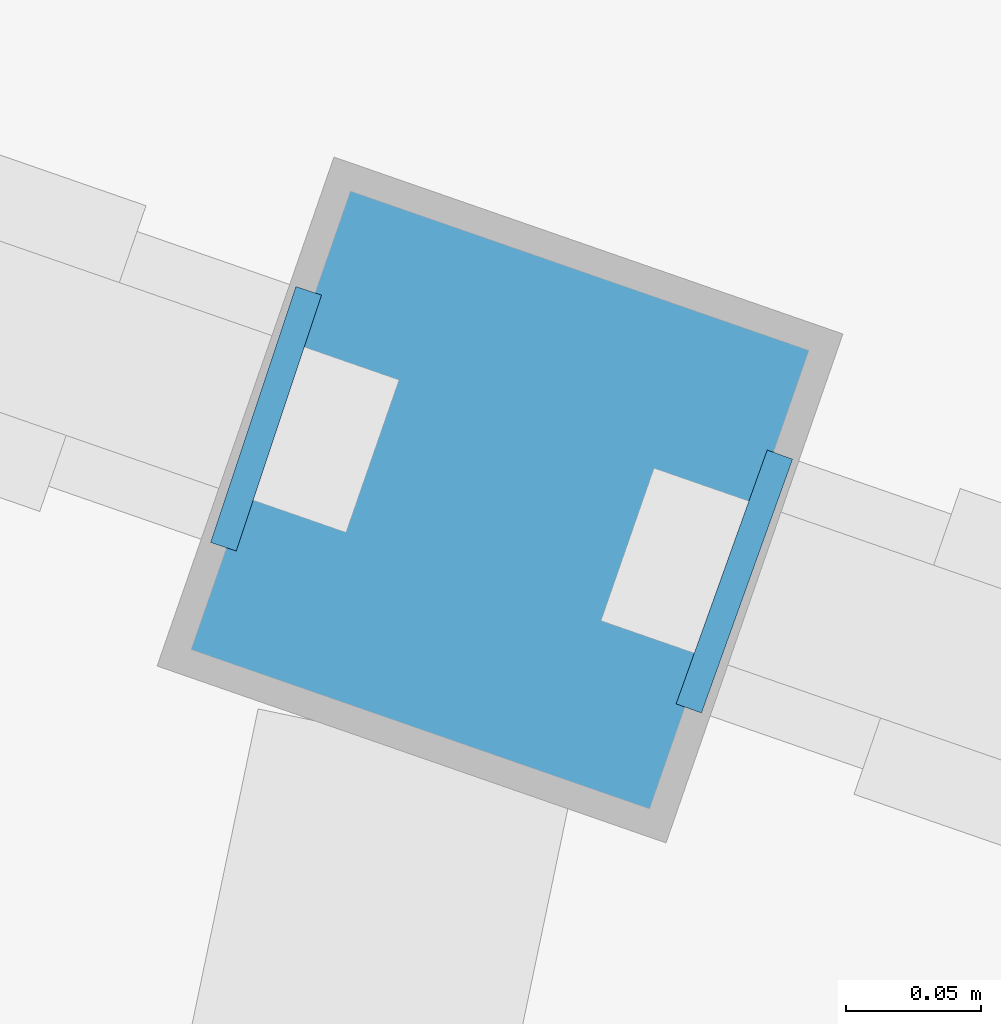
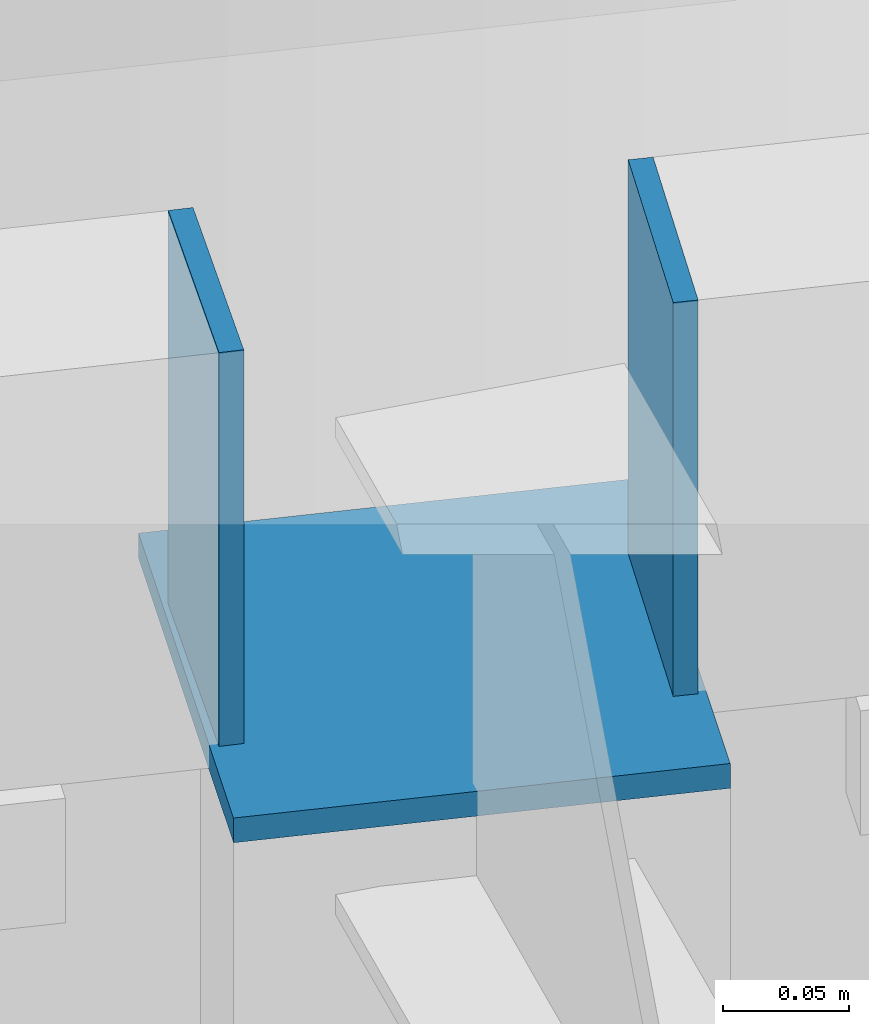
# One storey, part 196 of 226: 3 discrete accessories.
"""IFC4 building model written with IfcOpenShell, lengths in metres."""

from ifc_helpers import new_model, si_unit, direction, frame, origin, origin_2d, place, context, subcontext, project, spatial, rectangle, extrude, material, material_profile, profile_set, type_object, element, save


model = new_model("IFC4")

# Units and contexts
model_context = context("Model", 3, precision=1e-05, world=origin(), true_north=direction((0.0, 1.0)))
body_context = subcontext(model_context, "Body", "Model", "MODEL_VIEW")
ifc_project = project(units=[si_unit("LENGTHUNIT", "METRE"), si_unit("AREAUNIT", "SQUARE_METRE"), si_unit("VOLUMEUNIT", "CUBIC_METRE"), si_unit("PLANEANGLEUNIT", "RADIAN"), si_unit("MASSUNIT", "GRAM", prefix="KILO")], contexts=[model_context])

# Site, building, storey
site_placement = place(None, origin())
site = spatial("IfcSite", under=ifc_project, at=site_placement, CompositionType="ELEMENT")
building_placement = place(site_placement, origin())
building = spatial("IfcBuilding", under=site, at=building_placement, Name="Ceibo Conservatory and Research Tower", CompositionType="ELEMENT")
storey_placement = place(building_placement, origin())
storey = spatial("IfcBuildingStorey", under=building, at=storey_placement, Name="L00", CompositionType="ELEMENT", Elevation=0.0)

# Discrete accessories
ifc_material = material(Name="Steel S355J2", Category="steel")
ifc_material_profile_1 = material_profile(ifc_material, rectangle(XDim=0.10009765625, YDim=0.199951171875, at=origin_2d()), Name="End plate PL 200x100x8")
ifc_profile_set_1 = profile_set([ifc_material_profile_1], Name="Steel S355J2")
discrete_accessory_type_1 = type_object("IfcDiscreteAccessoryType", Name="End plate PL 200x100x8", PredefinedType="USERDEFINED", material=ifc_profile_set_1)
for number, where, z_axis, x_axis, name in (
    (1, (136.99560546875, 45.5458984375, 3.89990234375), (0.948683298051, -0.316227766017, 0.0), (0.316227766017, 0.948683298051, 0.0), "Gallery edge beam AUD-VC-EBN13 end plate"),
    (2, (137.16943359375, 45.485595703125, 3.89990234375), (0.941194670762, -0.337864753607, 0.0), (0.337864753607, 0.941194670762, 0.0), "Gallery edge beam AUD-VC-EBN14 end plate"),
):
    element("IfcDiscreteAccessory", number, at=place(storey_placement, frame(where, z_axis=z_axis, x_axis=x_axis)), inside=storey, type_object=discrete_accessory_type_1, Name=name, ObjectType="End plate", PredefinedType="USERDEFINED", context=body_context, shape_type="SweptSolid", body=[
        extrude(rectangle(XDim=0.10009765625, YDim=0.199951171875, at=origin_2d()), origin(), (0.0, 0.0, 1.0), 0.010009765625),
    ])
ifc_material_profile_2 = material_profile(ifc_material, rectangle(XDim=0.199951171875, YDim=0.199951171875, at=origin_2d()), Name="End plate PL 200x200x10")
ifc_profile_set_2 = profile_set([ifc_material_profile_2], Name="Steel S355J2")
discrete_accessory_type_2 = type_object("IfcDiscreteAccessoryType", Name="End plate PL 200x200x10", PredefinedType="USERDEFINED", material=ifc_profile_set_2)
discrete_accessory_placement = place(storey_placement, frame((137.087158203125, 45.51416015625, 3.798095703125), z_axis=(0.0, 0.0, 1.0), x_axis=(0.944579236191, -0.328283515513, 0.0)))
element("IfcDiscreteAccessory", 3, at=discrete_accessory_placement, inside=storey, type_object=discrete_accessory_type_2, Name="Gallery column AUD-VC-CN13 end plate", ObjectType="End plate", PredefinedType="USERDEFINED", context=body_context, shape_type="SweptSolid", body=[
    extrude(rectangle(XDim=0.199951171875, YDim=0.199951171875, at=origin_2d()), origin(), (0.0, 0.0, 1.0), 0.011962890625),
])

save(model, "model.ifc")
